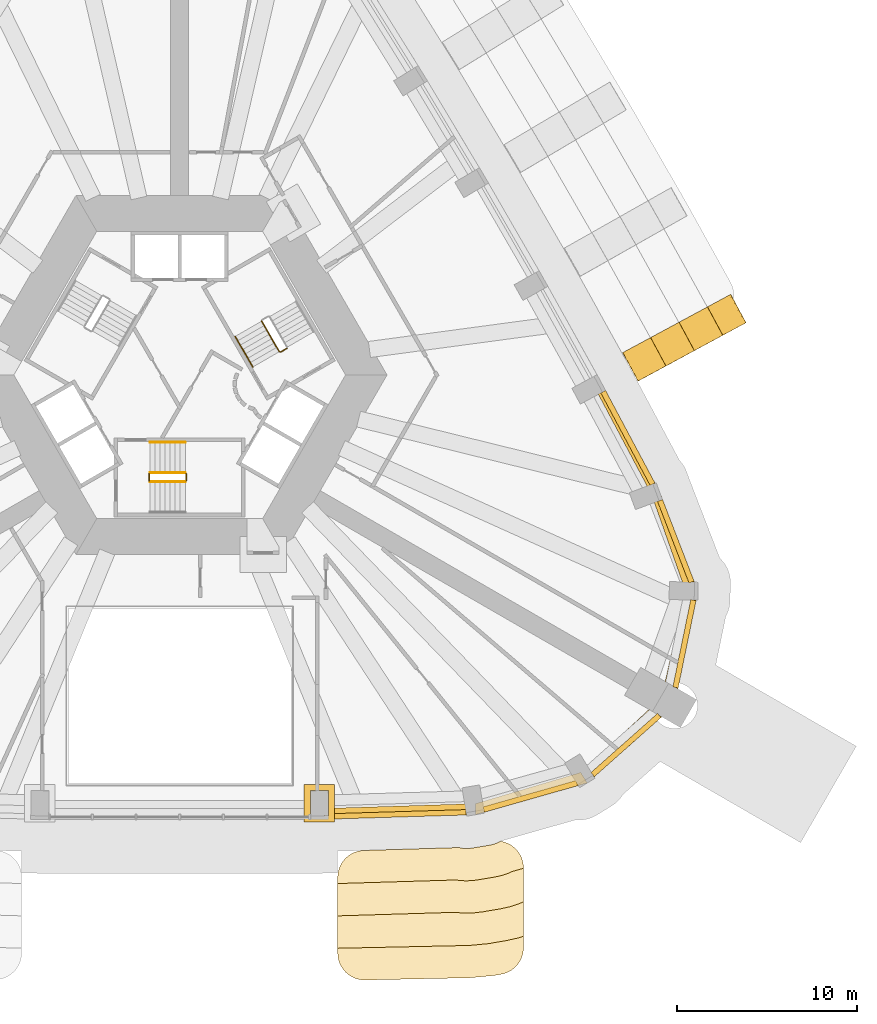
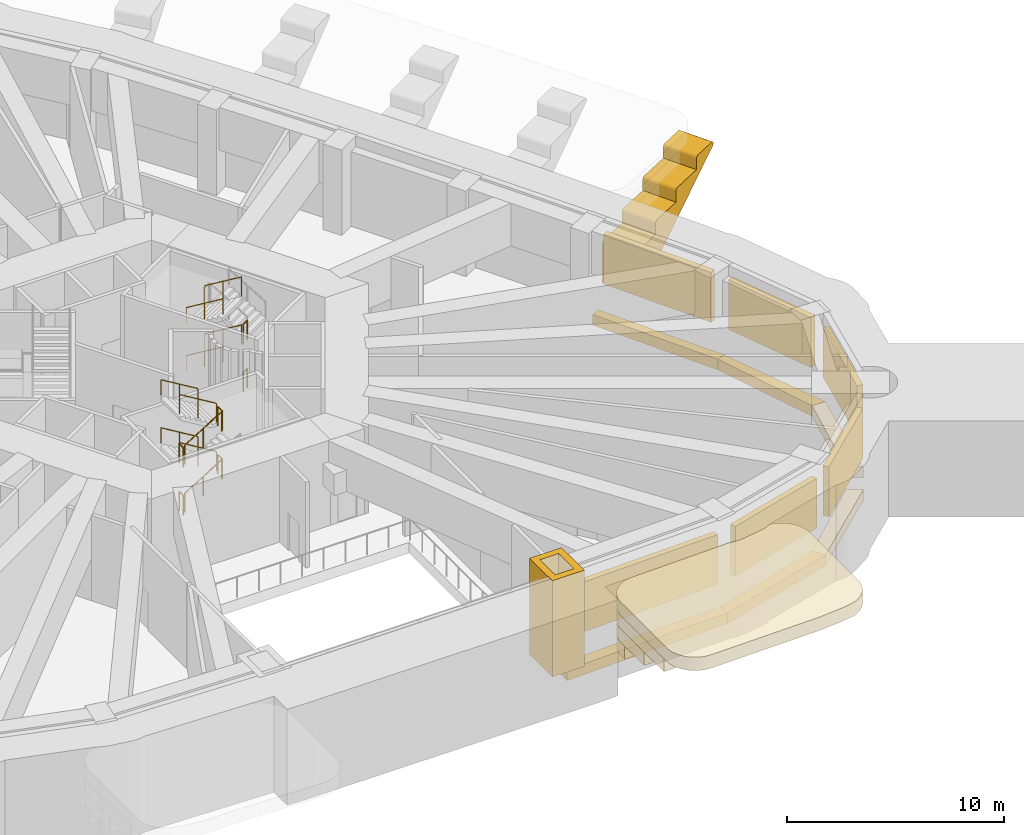
# One storey, part 12 of 16: 16 railings, 12 coverings, 6 shading devices.
"""IFC4 building model written with IfcOpenShell, lengths in metres."""

from ifc_helpers import new_model, si_unit, direction, frame, origin, origin_2d, place, context, subcontext, project, spatial, polyline, rectangle, circle, outline, extrude, material, layer, layer_set, type_object, element, save


model = new_model("IFC4")

# Units and contexts
model_context = context("Model", 3, precision=1e-05, world=origin(), true_north=direction((0.0, 1.0)))
body_context = subcontext(model_context, "Body", "Model", "MODEL_VIEW")
ifc_project = project(units=[si_unit("LENGTHUNIT", "METRE"), si_unit("AREAUNIT", "SQUARE_METRE"), si_unit("VOLUMEUNIT", "CUBIC_METRE"), si_unit("PLANEANGLEUNIT", "RADIAN"), si_unit("MASSUNIT", "GRAM", prefix="KILO")], contexts=[model_context])

# Site, building, storey
site_placement = place(None, origin())
site = spatial("IfcSite", under=ifc_project, at=site_placement, CompositionType="ELEMENT")
building_placement = place(site_placement, origin())
building = spatial("IfcBuilding", under=site, at=building_placement, Name="Entoto Arch Interchange Tower", CompositionType="ELEMENT")
storey_placement = place(building_placement, frame((0.0, 0.0, 281.0)))
storey = spatial("IfcBuildingStorey", under=building, at=storey_placement, Name="L65", CompositionType="ELEMENT", Elevation=281.0)

# Shading devices
ifc_material_1 = material(Name="Aluminium, anodised", Category="aluminium")
ifc_layer = layer(ifc_material_1, 0.300048828125)
ifc_layer_set = layer_set([ifc_layer], Name="Aluminium, anodised")
shading_device_type = type_object("IfcShadingDeviceType", Name="PLANT LOUVRE ALUMINIUM", PredefinedType="JALOUSIE", material=ifc_layer_set)
shading_device_1_placement = place(storey_placement, frame((12.123046875, -21.972900390625, 1.2001953125), z_axis=(0.0, 0.0, 1.0), x_axis=(0.999541022965, 0.030294280171, 0.0)))
element("IfcShadingDevice", 1, at=shading_device_1_placement, inside=storey, type_object=shading_device_type, Name="Plant louvre S-03 L65", PredefinedType="JALOUSIE", context=body_context, shape_type="SweptSolid", body=[
    extrude(rectangle(XDim=7.658935546875, YDim=0.300048828125, at=origin_2d()), origin(), (0.0, 0.0, 1.0), 2.800048828125),
])
shading_device_2_placement = place(storey_placement, frame((19.529052734375, -20.969970703125, 1.2001953125), z_axis=(0.0, 0.0, 1.0), x_axis=(0.961989550929, 0.273086257259, 0.0)))
element("IfcShadingDevice", 2, at=shading_device_2_placement, inside=storey, type_object=shading_device_type, Name="Plant louvre SE-01 L65", PredefinedType="JALOUSIE", context=body_context, shape_type="SweptSolid", body=[
    extrude(rectangle(XDim=5.386962890625, YDim=0.300048828125, at=origin_2d()), origin(), (0.0, 0.0, 1.0), 2.800048828125),
])
shading_device_3_placement = place(storey_placement, frame((24.85693359375, -18.110107421875, 1.2001953125), z_axis=(0.0, 0.0, 1.0), x_axis=(0.747937126477, 0.663769579626, 0.0)))
element("IfcShadingDevice", 3, at=shading_device_3_placement, inside=storey, type_object=shading_device_type, Name="Plant louvre SE-02 L65", PredefinedType="JALOUSIE", context=body_context, shape_type="SweptSolid", body=[
    extrude(rectangle(XDim=4.966064453125, YDim=0.300048828125, at=origin_2d()), origin(), (0.0, 0.0, 1.0), 2.800048828125),
])
shading_device_4_placement = place(storey_placement, frame((28.112060546875, -12.471923828125, 1.2001953125), z_axis=(0.0, 0.0, 1.0), x_axis=(0.20090694995, 0.979610329397, 0.0)))
element("IfcShadingDevice", 4, at=shading_device_4_placement, inside=storey, type_object=shading_device_type, Name="Plant louvre SE-03 L65", PredefinedType="JALOUSIE", context=body_context, shape_type="SweptSolid", body=[
    extrude(rectangle(XDim=4.967041015625, YDim=0.300048828125, at=origin_2d()), origin(), (0.0, 0.0, 1.0), 2.800048828125),
])
shading_device_5_placement = place(storey_placement, frame((27.6298828125, -6.763916015625, 1.2001953125), z_axis=(0.0, 0.0, 1.0), x_axis=(-0.360257323855, 0.932852968376, 0.0)))
element("IfcShadingDevice", 5, at=shading_device_5_placement, inside=storey, type_object=shading_device_type, Name="Plant louvre SE-04 L65", PredefinedType="JALOUSIE", context=body_context, shape_type="SweptSolid", body=[
    extrude(rectangle(XDim=4.8740234375, YDim=0.300048828125, at=origin_2d()), origin(), (0.0, 0.0, 1.0), 2.800048828125),
])
shading_device_6_placement = place(storey_placement, frame((24.9609375, -1.008056640625, 1.2001953125), z_axis=(0.0, 0.0, 1.0), x_axis=(-0.470780924807, 0.882250146408, 0.0)))
element("IfcShadingDevice", 6, at=shading_device_6_placement, inside=storey, type_object=shading_device_type, Name="Plant louvre NE-01 L65", PredefinedType="JALOUSIE", context=body_context, shape_type="SweptSolid", body=[
    extrude(rectangle(XDim=5.8330078125, YDim=0.300048828125, at=origin_2d()), origin(), (0.0, 0.0, 1.0), 2.800048828125),
])

# Coverings
ifc_material_2 = material(Name="Board-marked precast concrete C50/60", Category="concrete")
covering_type_1 = type_object("IfcCoveringType", Name="PRECAST FRAME COURSE", PredefinedType="CLADDING", material=ifc_material_2)
covering_1_placement = place(storey_placement, frame((0.0, 0.0, 4.050048828125)))
element("IfcCovering", 7, at=covering_1_placement, inside=storey, type_object=covering_type_1, Name="Cantilever cornice L65 1", PredefinedType="CLADDING", context=body_context, shape_type="SweptSolid", body=[
    extrude(outline(polyline([(18.18310546875, -23.551025390625), (18.320068359375, -23.612060546875), (18.450927734375, -23.68603515625), (18.573974609375, -23.77392578125), (18.68701171875, -23.873046875), (18.7900390625, -23.98193359375), (18.882080078125, -24.10205078125), (18.9609375, -24.22998046875), (19.02587890625, -24.365966796875), (19.077880859375, -24.507080078125), (19.115966796875, -24.653076171875), (19.137939453125, -24.802001953125), (19.14599609375, -24.951904296875), (19.14599609375, -29.39990234375), (19.137939453125, -29.550048828125), (19.115966796875, -29.698974609375), (19.077880859375, -29.844970703125), (19.027099609375, -29.986083984375), (18.9609375, -30.12109375), (18.883056640625, -30.2490234375), (18.7919921875, -30.367919921875), (18.68896484375, -30.47802734375), (18.575927734375, -30.576904296875), (18.4541015625, -30.6640625), (18.322998046875, -30.739013671875), (18.18603515625, -30.800048828125), (18.04296875, -30.846923828125), (17.89599609375, -30.87890625), (17.5439453125, -30.93896484375), (17.43603515625, -30.952880859375), (16.39208984375, -31.052001953125), (16.23388671875, -31.06689453125), (16.1240234375, -31.073974609375), (15.467041015625, -31.087890625), (10.33203125, -31.197021484375), (10.18310546875, -31.193115234375), (10.034912109375, -31.174072265625), (9.889892578125, -31.14111328125), (9.748046875, -31.093017578125), (9.612060546875, -31.031005859375), (9.48291015625, -30.9560546875), (9.362060546875, -30.868896484375), (9.2509765625, -30.77001953125), (9.14892578125, -30.659912109375), (9.06005859375, -30.541015625), (8.98193359375, -30.4140625), (8.9169921875, -30.279052734375), (8.865966796875, -30.138916015625), (8.830078125, -29.993896484375), (8.806884765625, -29.846923828125), (8.800048828125, -29.697998046875), (8.800048828125, -25.47998046875), (8.806884765625, -25.3359375), (8.827880859375, -25.193115234375), (8.862060546875, -25.052001953125), (8.909912109375, -24.916015625), (8.969970703125, -24.784912109375), (9.04296875, -24.660888671875), (9.1279296875, -24.5439453125), (9.222900390625, -24.43505859375), (9.3291015625, -24.3369140625), (9.443115234375, -24.2490234375), (9.56591796875, -24.172119140625), (9.695068359375, -24.10693359375), (9.8291015625, -24.055908203125), (9.968017578125, -24.01708984375), (10.111083984375, -23.991943359375), (10.2548828125, -23.97998046875), (15.552978515625, -23.820068359375), (15.5859375, -23.8291015625), (15.760009765625, -23.860107421875), (15.93603515625, -23.8740234375), (16.112060546875, -23.8701171875), (16.2880859375, -23.84912109375), (17.27392578125, -23.681884765625), (17.446044921875, -23.64404296875), (17.614013671875, -23.589111328125), (17.77587890625, -23.51904296875), (17.863037109375, -23.468994140625), (17.89892578125, -23.458984375), (17.87109375, -23.468994140625), (17.89208984375, -23.471923828125), (18.0390625, -23.5048828125), (18.18310546875, -23.551025390625)])), origin(), (0.0, 0.0, 1.0), 0.75),
])
covering_2_placement = place(storey_placement, frame((0.0, 0.0, 3.300048828125)))
element("IfcCovering", 8, at=covering_2_placement, inside=storey, type_object=covering_type_1, Name="Cantilever cornice L65 2", PredefinedType="CLADDING", context=body_context, shape_type="SweptSolid", body=[
    extrude(outline(polyline([(18.18310546875, -23.551025390625), (18.320068359375, -23.612060546875), (18.450927734375, -23.68603515625), (18.573974609375, -23.77392578125), (18.68701171875, -23.873046875), (18.7900390625, -23.98193359375), (18.882080078125, -24.10205078125), (18.9609375, -24.22998046875), (19.02587890625, -24.365966796875), (19.077880859375, -24.507080078125), (19.115966796875, -24.653076171875), (19.137939453125, -24.802001953125), (19.14599609375, -24.951904296875), (19.14599609375, -28.762939453125), (18.865966796875, -28.85400390625), (18.176025390625, -29.006103515625), (17.18994140625, -29.173095703125), (16.14111328125, -29.27294921875), (8.800048828125, -29.429931640625), (8.800048828125, -25.47998046875), (8.806884765625, -25.3359375), (8.827880859375, -25.193115234375), (8.862060546875, -25.052001953125), (8.909912109375, -24.916015625), (8.969970703125, -24.784912109375), (9.04296875, -24.660888671875), (9.1279296875, -24.5439453125), (9.222900390625, -24.43505859375), (9.3291015625, -24.3369140625), (9.443115234375, -24.2490234375), (9.56591796875, -24.172119140625), (9.695068359375, -24.10693359375), (9.8291015625, -24.055908203125), (9.968017578125, -24.01708984375), (10.111083984375, -23.991943359375), (10.2548828125, -23.97998046875), (10.2548828125, -23.97998046875), (15.552978515625, -23.820068359375), (15.5859375, -23.8291015625), (15.760009765625, -23.860107421875), (15.93603515625, -23.8740234375), (16.112060546875, -23.8701171875), (16.2880859375, -23.84912109375), (17.27392578125, -23.681884765625), (17.446044921875, -23.64404296875), (17.614013671875, -23.589111328125), (17.77587890625, -23.51904296875), (17.863037109375, -23.468994140625), (17.89892578125, -23.458984375), (17.87109375, -23.468994140625), (17.89208984375, -23.471923828125), (18.0390625, -23.5048828125), (18.18310546875, -23.551025390625)])), origin(), (0.0, 0.0, 1.0), 0.75),
])
covering_3_placement = place(storey_placement, frame((0.0, 0.0, 2.550048828125)))
element("IfcCovering", 9, at=covering_3_placement, inside=storey, type_object=covering_type_1, Name="Cantilever cornice L65 3", PredefinedType="CLADDING", context=body_context, shape_type="SweptSolid", body=[
    extrude(outline(polyline([(18.18310546875, -23.551025390625), (18.320068359375, -23.612060546875), (18.450927734375, -23.68603515625), (18.573974609375, -23.77392578125), (18.68701171875, -23.873046875), (18.7900390625, -23.98193359375), (18.882080078125, -24.10205078125), (18.9609375, -24.22998046875), (19.02587890625, -24.365966796875), (19.077880859375, -24.507080078125), (19.115966796875, -24.653076171875), (19.137939453125, -24.802001953125), (19.14599609375, -24.951904296875), (19.14599609375, -26.847900390625), (19.1220703125, -26.85400390625), (18.89599609375, -26.952880859375), (18.39208984375, -27.117919921875), (17.875, -27.23193359375), (16.888916015625, -27.39892578125), (16.363037109375, -27.4609375), (15.8330078125, -27.471923828125), (15.304931640625, -27.430908203125), (15.2939453125, -27.428955078125), (8.800048828125, -27.6259765625), (8.800048828125, -25.47998046875), (8.806884765625, -25.3359375), (8.827880859375, -25.193115234375), (8.862060546875, -25.052001953125), (8.909912109375, -24.916015625), (8.969970703125, -24.784912109375), (9.04296875, -24.660888671875), (9.1279296875, -24.5439453125), (9.222900390625, -24.43505859375), (9.3291015625, -24.3369140625), (9.443115234375, -24.2490234375), (9.56591796875, -24.172119140625), (9.695068359375, -24.10693359375), (9.8291015625, -24.055908203125), (9.968017578125, -24.01708984375), (10.111083984375, -23.991943359375), (10.2548828125, -23.97998046875), (10.2548828125, -23.97998046875), (15.552978515625, -23.820068359375), (15.5859375, -23.8291015625), (15.760009765625, -23.860107421875), (15.93603515625, -23.8740234375), (16.112060546875, -23.8701171875), (16.2880859375, -23.84912109375), (17.27392578125, -23.681884765625), (17.446044921875, -23.64404296875), (17.614013671875, -23.589111328125), (17.77587890625, -23.51904296875), (17.863037109375, -23.468994140625), (17.89892578125, -23.458984375), (17.87109375, -23.468994140625), (17.89208984375, -23.471923828125), (18.0390625, -23.5048828125), (18.18310546875, -23.551025390625)])), origin(), (0.0, 0.0, 1.0), 0.75),
])
covering_4_placement = place(storey_placement, frame((0.0, 0.0, 1.800048828125)))
element("IfcCovering", 10, at=covering_4_placement, inside=storey, type_object=covering_type_1, Name="Cantilever cornice L65 4", PredefinedType="CLADDING", context=body_context, shape_type="SweptSolid", body=[
    extrude(outline(polyline([(18.18310546875, -23.551025390625), (18.320068359375, -23.612060546875), (18.450927734375, -23.68603515625), (18.573974609375, -23.77392578125), (18.68701171875, -23.873046875), (18.7900390625, -23.98193359375), (18.882080078125, -24.10205078125), (18.9609375, -24.22998046875), (19.02587890625, -24.365966796875), (19.077880859375, -24.507080078125), (19.115966796875, -24.653076171875), (19.137939453125, -24.802001953125), (19.14599609375, -24.951904296875), (19.14599609375, -24.97607421875), (18.528076171875, -25.152099609375), (18.2548828125, -25.27099609375), (17.9189453125, -25.381103515625), (17.573974609375, -25.45703125), (16.587890625, -25.6240234375), (16.238037109375, -25.666015625), (15.884033203125, -25.673095703125), (15.531982421875, -25.64599609375), (15.4150390625, -25.625), (8.800048828125, -25.824951171875), (8.800048828125, -25.47998046875), (8.806884765625, -25.3359375), (8.827880859375, -25.193115234375), (8.862060546875, -25.052001953125), (8.909912109375, -24.916015625), (8.969970703125, -24.784912109375), (9.04296875, -24.660888671875), (9.1279296875, -24.5439453125), (9.222900390625, -24.43505859375), (9.3291015625, -24.3369140625), (9.443115234375, -24.2490234375), (9.56591796875, -24.172119140625), (9.695068359375, -24.10693359375), (9.8291015625, -24.055908203125), (9.968017578125, -24.01708984375), (10.111083984375, -23.991943359375), (10.2548828125, -23.97998046875), (10.2548828125, -23.97998046875), (15.552978515625, -23.820068359375), (15.5859375, -23.8291015625), (15.760009765625, -23.860107421875), (15.93603515625, -23.8740234375), (16.112060546875, -23.8701171875), (16.2880859375, -23.84912109375), (17.27392578125, -23.681884765625), (17.446044921875, -23.64404296875), (17.614013671875, -23.589111328125), (17.77587890625, -23.51904296875), (17.863037109375, -23.468994140625), (17.89892578125, -23.458984375), (17.87109375, -23.468994140625), (17.89208984375, -23.471923828125), (18.0390625, -23.5048828125), (18.18310546875, -23.551025390625)])), origin(), (0.0, 0.0, 1.0), 0.75),
])
covering_5_placement = place(storey_placement, frame((26.076904296875, 2.448974609375, -0.572021484375), z_axis=(0.473974145096, -0.880533473583, 0.003051504713), x_axis=(-0.78159292154, -0.422307363766, -0.459095845666)))
element("IfcCovering", 11, at=covering_5_placement, inside=storey, type_object=covering_type_1, Name="Fold rib NE02 L65", PredefinedType="CLADDING", context=body_context, shape_type="SweptSolid", body=[
    extrude(outline(polyline([(0.0, 0.0), (0.04573153724789679, 3.469446951953614e-18), (0.08955543407304244, -0.014676383002175115), (0.4385093845153609, -0.19500858995472975), (0.46334671760759105, -0.2114169752872267), (0.49260191469120707, -0.2432998075065774), (0.511956957086023, -0.28270653125284184), (0.5197842931624344, -0.3260517457260566), (0.5136969246307107, -0.3701744687286229), (0.502813405102382, -0.39724933028089593), (-0.46150835700905746, -2.2625948843223656), (-0.4868491516529848, -2.299241300060445), (-0.5091670978066655, -2.3179364672746887), (-0.5354965394230424, -2.331536159043941), (-0.5776257544795818, -2.3432945268872993), (-0.6218881644008312, -2.3418564316194987), (-0.663675632031897, -2.327128862566277), (-2.1024162639168766, -1.583621434169401), (-2.38558054471342, -2.129547041328279), (-2.4041629532465687, -2.1526472678459787), (-2.438393115537062, -2.178654156947763), (-2.479740138102604, -2.194661392149139), (-2.524429388714257, -2.197398748980553), (-2.5524836251446827, -2.1919695410531785), (-2.580035340703679, -2.181029871773445), (-4.046024489909736, -1.4234385868187074), (-4.3291887707062795, -1.9693641939775852), (-4.347580360655067, -1.9925634287796112), (-4.381810522945561, -2.0185703178813963), (-4.423157545511103, -2.0345775530827717), (-4.467846796122756, -2.037314909914185), (-4.496313442088109, -2.0316755315507935), (-4.523452748112178, -2.0209460327070774), (-5.989441897318235, -1.2633547477523397), (-6.272606178114779, -1.809280354911218), (-6.290997768063567, -1.8324795897132446), (-6.32522793035406, -1.858486478815029), (-6.366574952919603, -1.8744937140164044), (-6.410500929193813, -1.8776271039851253), (-6.439833951880341, -1.8715391498754217), (-6.467282565055604, -1.860652023204692), (-7.513468858245747, -1.320004969809013), (-7.548698035620223, -1.2949279414225439), (-7.56811282659211, -1.272528769708551), (-7.581877375579808, -1.2475517888698953), (-7.593297984377575, -1.2056493900402057), (-7.594408356180449, -1.1756709836943076), (-7.588702079396594, -1.14701670996853), (-7.5785908157686706, -1.1198152479030523), (-7.562901458367133, -1.095217743253086), (-7.543431655530245, -1.0736781347860642), (-7.519783133171691, -1.0567659099258817), (-7.4938899913224954, -1.0454152531454879), (-7.465623986632181, -1.0385848955505694), (0.0, 0.0)])), origin(), (0.0, 0.0, -1.0), 1.800048828125),
])
covering_6_placement = place(storey_placement, frame((0.0, 0.0, -0.60009765625)))
element("IfcCovering", 12, at=covering_6_placement, inside=storey, type_object=covering_type_1, Name="Gate pier L65", PredefinedType="CLADDING", context=body_context, shape_type="SweptSolid", body=[
    extrude(outline(polyline([(6.93408203125, -20.303955078125), (8.634033203125, -20.303955078125), (8.634033203125, -22.404052734375), (6.93408203125, -22.404052734375), (6.93408203125, -20.303955078125)]), holes=[polyline([(7.283935546875, -20.654052734375), (7.283935546875, -22.053955078125), (8.283935546875, -22.053955078125), (8.283935546875, -20.654052734375), (7.283935546875, -20.654052734375)])]), origin(), (0.0, 0.0, 1.0), 5.400146484375),
])
covering_type_2 = type_object("IfcCoveringType", Name="PRECAST LEDGE COURSE", PredefinedType="CLADDING", material=ifc_material_2)
covering_7_placement = place(storey_placement, frame((0.0, 0.0, -1.199951171875)))
element("IfcCovering", 13, at=covering_7_placement, inside=storey, type_object=covering_type_2, Name="Precast course S-03 L65", PredefinedType="CLADDING", context=body_context, shape_type="SweptSolid", body=[
    extrude(outline(polyline([(16.47998046875, -21.3740234375), (16.47998046875, -21.990966796875), (7.800048828125, -22.25390625), (7.800048828125, -21.64990234375), (16.47998046875, -21.3740234375)])), origin(), (0.0, 0.0, 1.0), 0.599853515625),
])
covering_8_placement = place(storey_placement, frame((0.0, 0.0, -1.199951171875)))
element("IfcCovering", 14, at=covering_8_placement, inside=storey, type_object=covering_type_2, Name="Precast course SE-01 L65", PredefinedType="CLADDING", context=body_context, shape_type="SweptSolid", body=[
    extrude(outline(polyline([(22.340087890625, -19.635009765625), (22.699951171875, -20.22509765625), (16.47998046875, -21.990966796875), (16.47998046875, -21.3740234375), (22.340087890625, -19.635009765625)])), origin(), (0.0, 0.0, 1.0), 0.599853515625),
])
covering_9_placement = place(storey_placement, frame((0.0, 0.0, -1.199951171875)))
element("IfcCovering", 15, at=covering_9_placement, inside=storey, type_object=covering_type_2, Name="Precast course SE-02 L65", PredefinedType="CLADDING", context=body_context, shape_type="SweptSolid", body=[
    extrude(outline(polyline([(26.14208984375, -16.133056640625), (26.85107421875, -16.5419921875), (22.699951171875, -20.22509765625), (22.340087890625, -19.635009765625), (26.14208984375, -16.133056640625)])), origin(), (0.0, 0.0, 1.0), 0.599853515625),
])
covering_10_placement = place(storey_placement, frame((0.0, 0.0, -1.199951171875)))
element("IfcCovering", 16, at=covering_10_placement, inside=storey, type_object=covering_type_2, Name="Precast course SE-03 L65", PredefinedType="CLADDING", context=body_context, shape_type="SweptSolid", body=[
    extrude(outline(polyline([(28.174072265625, -9.529052734375), (28.864990234375, -9.5458984375), (27.75, -14.98291015625), (27.0419921875, -14.573974609375), (28.174072265625, -9.529052734375)])), origin(), (0.0, 0.0, 1.0), 0.599853515625),
])
covering_11_placement = place(storey_placement, frame((0.0, 0.0, -1.199951171875)))
element("IfcCovering", 17, at=covering_11_placement, inside=storey, type_object=covering_type_2, Name="Precast course SE-04 L65", PredefinedType="CLADDING", context=body_context, shape_type="SweptSolid", body=[
    extrude(outline(polyline([(26.27294921875, -4.135986328125), (26.712890625, -3.972900390625), (28.864990234375, -9.5458984375), (28.174072265625, -9.529052734375), (26.27294921875, -4.135986328125)])), origin(), (0.0, 0.0, 1.0), 0.599853515625),
])
covering_12_placement = place(storey_placement, frame((0.0, 0.0, -1.199951171875)))
element("IfcCovering", 18, at=covering_12_placement, inside=storey, type_object=covering_type_2, Name="Precast course NE-01 L65", PredefinedType="CLADDING", context=body_context, shape_type="SweptSolid", body=[
    extrude(outline(polyline([(23.083984375, 1.860107421875), (23.485107421875, 2.075927734375), (26.712890625, -3.972900390625), (26.27294921875, -4.135986328125), (23.083984375, 1.860107421875)])), origin(), (0.0, 0.0, 1.0), 0.599853515625),
])

# Railings
ifc_material_3 = material(Name="Stainless steel 1.4301", Category="steel")
railing_type_1 = type_object("IfcRailingType", Name="STAIR GUARD 1100 STEEL", PredefinedType="GUARDRAIL", material=ifc_material_3)
railing_1_placement = place(storey_placement, frame((-1.64990234375, -3.449951171875, 0.168701171875)))
element("IfcRailing", 19, at=railing_1_placement, inside=storey, type_object=railing_type_1, Name="L65 ST-S stair guard 1", PredefinedType="GUARDRAIL", context=body_context, shape_type="SweptSolid", body=[
    extrude(circle(Radius=0.02392578125, at=origin_2d()), frame((0.0, 0.0, 1.076171875), z_axis=(0.856446297458, 0.0, 0.516236127728), x_axis=(0.0, 1.0, 0.0)), (0.0, 0.0, 1.0), 2.28857421875),
    extrude(circle(Radius=0.02099609375, at=origin_2d()), origin(), (0.0, 0.0, 1.0), 1.052001953125),
    extrude(circle(Radius=0.02099609375, at=origin_2d()), frame((0.97998046875, 0.0, 0.5908203125)), (0.0, 0.0, 1.0), 1.052001953125),
    extrude(circle(Radius=0.02099609375, at=origin_2d()), frame((1.9599609375, 0.0, 1.181396484375)), (0.0, 0.0, 1.0), 1.052001953125),
])
railing_2_placement = place(storey_placement, frame((0.360107421875, -3.39990234375, 1.35009765625)))
element("IfcRailing", 20, at=railing_2_placement, inside=storey, type_object=railing_type_1, Name="L65 ST-S stair guard 2", PredefinedType="GUARDRAIL", context=body_context, shape_type="SweptSolid", body=[
    extrude(circle(Radius=0.02392578125, at=origin_2d()), frame((0.0, 0.0, 1.076171875), z_axis=(0.0, 1.0, 0.0), x_axis=(-1.0, 0.0, 0.0)), (0.0, 0.0, 1.0), 0.39990234375),
    extrude(circle(Radius=0.02099609375, at=origin_2d()), origin(), (0.0, 0.0, 1.0), 1.052001953125),
    extrude(circle(Radius=0.02099609375, at=origin_2d()), frame((0.0, 0.39990234375, 0.0)), (0.0, 0.0, 1.0), 1.052001953125),
])
railing_3_placement = place(storey_placement, frame((0.31005859375, -2.949951171875, 1.518798828125)))
element("IfcRailing", 21, at=railing_3_placement, inside=storey, type_object=railing_type_1, Name="L65 ST-S stair guard 3", PredefinedType="GUARDRAIL", context=body_context, shape_type="SweptSolid", body=[
    extrude(circle(Radius=0.02392578125, at=origin_2d()), frame((0.0, 0.0, 1.076171875), z_axis=(-0.856493463811, 0.0, 0.516157869696), x_axis=(0.0, -1.0, 0.0)), (0.0, 0.0, 1.0), 2.288330078125),
    extrude(circle(Radius=0.02099609375, at=origin_2d()), origin(), (0.0, 0.0, 1.0), 1.052001953125),
    extrude(circle(Radius=0.02099609375, at=origin_2d()), frame((-0.97998046875, 0.0, 0.590576171875)), (0.0, 0.0, 1.0), 1.052001953125),
    extrude(circle(Radius=0.02099609375, at=origin_2d()), frame((-1.9599609375, 0.0, 1.18115234375)), (0.0, 0.0, 1.0), 1.052001953125),
])
railing_4_placement = place(storey_placement, frame((-1.699951171875, -3.39990234375, 2.699951171875)))
element("IfcRailing", 22, at=railing_4_placement, inside=storey, type_object=railing_type_1, Name="L65 ST-S stair guard 4", PredefinedType="GUARDRAIL", context=body_context, shape_type="SweptSolid", body=[
    extrude(circle(Radius=0.02392578125, at=origin_2d()), frame((0.0, 0.0, 1.076171875), z_axis=(0.0, 1.0, 0.0), x_axis=(-1.0, 0.0, 0.0)), (0.0, 0.0, 1.0), 0.39990234375),
    extrude(circle(Radius=0.02099609375, at=origin_2d()), origin(), (0.0, 0.0, 1.0), 1.052001953125),
    extrude(circle(Radius=0.02099609375, at=origin_2d()), frame((0.0, 0.39990234375, 0.0)), (0.0, 0.0, 1.0), 1.052001953125),
])
railing_5_placement = place(storey_placement, frame((-1.64990234375, -3.449951171875, 2.86865234375)))
element("IfcRailing", 23, at=railing_5_placement, inside=storey, type_object=railing_type_1, Name="L65 ST-S stair guard 5", PredefinedType="GUARDRAIL", context=body_context, shape_type="SweptSolid", body=[
    extrude(circle(Radius=0.02392578125, at=origin_2d()), frame((0.0, 0.0, 1.076171875), z_axis=(0.856446297458, 0.0, 0.516236127728), x_axis=(0.0, 1.0, 0.0)), (0.0, 0.0, 1.0), 2.28857421875),
    extrude(circle(Radius=0.02099609375, at=origin_2d()), origin(), (0.0, 0.0, 1.0), 1.052001953125),
    extrude(circle(Radius=0.02099609375, at=origin_2d()), frame((0.97998046875, 0.0, 0.5908203125)), (0.0, 0.0, 1.0), 1.052001953125),
    extrude(circle(Radius=0.02099609375, at=origin_2d()), frame((1.9599609375, 0.0, 1.181396484375)), (0.0, 0.0, 1.0), 1.052001953125),
])
railing_6_placement = place(storey_placement, frame((0.360107421875, -3.39990234375, 4.050048828125)))
element("IfcRailing", 24, at=railing_6_placement, inside=storey, type_object=railing_type_1, Name="L65 ST-S stair guard 6", PredefinedType="GUARDRAIL", context=body_context, shape_type="SweptSolid", body=[
    extrude(circle(Radius=0.02392578125, at=origin_2d()), frame((0.0, 0.0, 1.076171875), z_axis=(0.0, 1.0, 0.0), x_axis=(-1.0, 0.0, 0.0)), (0.0, 0.0, 1.0), 0.39990234375),
    extrude(circle(Radius=0.02099609375, at=origin_2d()), origin(), (0.0, 0.0, 1.0), 1.052001953125),
    extrude(circle(Radius=0.02099609375, at=origin_2d()), frame((0.0, 0.39990234375, 0.0)), (0.0, 0.0, 1.0), 1.052001953125),
])
railing_7_placement = place(storey_placement, frame((0.31005859375, -2.949951171875, 4.21875)))
element("IfcRailing", 25, at=railing_7_placement, inside=storey, type_object=railing_type_1, Name="L65 ST-S stair guard 7", PredefinedType="GUARDRAIL", context=body_context, shape_type="SweptSolid", body=[
    extrude(circle(Radius=0.02392578125, at=origin_2d()), frame((0.0, 0.0, 1.076171875), z_axis=(-0.856493463811, 0.0, 0.516157869696), x_axis=(0.0, -1.0, 0.0)), (0.0, 0.0, 1.0), 2.288330078125),
    extrude(circle(Radius=0.02099609375, at=origin_2d()), origin(), (0.0, 0.0, 1.0), 1.052001953125),
    extrude(circle(Radius=0.02099609375, at=origin_2d()), frame((-0.97998046875, 0.0, 0.590576171875)), (0.0, 0.0, 1.0), 1.052001953125),
    extrude(circle(Radius=0.02099609375, at=origin_2d()), frame((-1.9599609375, 0.0, 1.18115234375)), (0.0, 0.0, 1.0), 1.052001953125),
])
railing_8_placement = place(storey_placement, frame((-1.699951171875, -3.39990234375, 0.0)))
element("IfcRailing", 26, at=railing_8_placement, inside=storey, type_object=railing_type_1, Name="L65 ST-S stair guard 8", PredefinedType="GUARDRAIL", context=body_context, shape_type="SweptSolid", body=[
    extrude(circle(Radius=0.02392578125, at=origin_2d()), frame((0.0, 0.0, 1.076171875), z_axis=(0.0, 1.0, 0.0), x_axis=(-1.0, 0.0, 0.0)), (0.0, 0.0, 1.0), 0.39990234375),
    extrude(circle(Radius=0.02099609375, at=origin_2d()), origin(), (0.0, 0.0, 1.0), 1.052001953125),
    extrude(circle(Radius=0.02099609375, at=origin_2d()), frame((0.0, 0.39990234375, 0.0)), (0.0, 0.0, 1.0), 1.052001953125),
])
railing_9_placement = place(storey_placement, frame((4.56494140625, 5.493408203125, 1.518798828125)))
element("IfcRailing", 27, at=railing_9_placement, inside=storey, type_object=railing_type_1, Name="L65 ST-NE stair guard 3", PredefinedType="GUARDRAIL", context=body_context, shape_type="SweptSolid", body=[
    extrude(circle(Radius=0.02392578125, at=origin_2d()), frame((0.0, 0.0, 1.076171875), z_axis=(0.428262048313, -0.74172340804, 0.516176330279), x_axis=(0.866011328839, 0.500024377727, 0.0)), (0.0, 0.0, 1.0), 2.288330078125),
    extrude(circle(Radius=0.02099609375, at=origin_2d()), origin(), (0.0, 0.0, 1.0), 1.052001953125),
    extrude(circle(Radius=0.02099609375, at=origin_2d()), frame((0.489990234375, -0.8486328125, 0.590576171875)), (0.0, 0.0, 1.0), 1.052001953125),
    extrude(circle(Radius=0.02099609375, at=origin_2d()), frame((0.97998046875, -1.697265625, 1.18115234375)), (0.0, 0.0, 1.0), 1.052001953125),
])
railing_10_placement = place(storey_placement, frame((5.95947265625, 3.977783203125, 2.699951171875)))
element("IfcRailing", 28, at=railing_10_placement, inside=storey, type_object=railing_type_1, Name="L65 ST-NE stair guard 4", PredefinedType="GUARDRAIL", context=body_context, shape_type="SweptSolid", body=[
    extrude(circle(Radius=0.02392578125, at=origin_2d()), frame((0.0, 0.0, 1.076171875), z_axis=(-0.866094119867, -0.499880961361, 0.0), x_axis=(0.499880961361, -0.866094119867, 0.0)), (0.0, 0.0, 1.0), 0.39990234375),
    extrude(circle(Radius=0.02099609375, at=origin_2d()), origin(), (0.0, 0.0, 1.0), 1.052001953125),
    extrude(circle(Radius=0.02099609375, at=origin_2d()), frame((-0.346435546875, -0.199951171875, 0.0)), (0.0, 0.0, 1.0), 1.052001953125),
])
railing_11_placement = place(storey_placement, frame((4.56494140625, 5.493408203125, 4.21875)))
element("IfcRailing", 29, at=railing_11_placement, inside=storey, type_object=railing_type_1, Name="L65 ST-NE stair guard 7", PredefinedType="GUARDRAIL", context=body_context, shape_type="SweptSolid", body=[
    extrude(circle(Radius=0.02392578125, at=origin_2d()), frame((0.0, 0.0, 1.076171875), z_axis=(0.428262048313, -0.74172340804, 0.516176330279), x_axis=(0.866011328839, 0.500024377727, 0.0)), (0.0, 0.0, 1.0), 2.288330078125),
    extrude(circle(Radius=0.02099609375, at=origin_2d()), origin(), (0.0, 0.0, 1.0), 1.052001953125),
    extrude(circle(Radius=0.02099609375, at=origin_2d()), frame((0.489990234375, -0.8486328125, 0.590576171875)), (0.0, 0.0, 1.0), 1.052001953125),
    extrude(circle(Radius=0.02099609375, at=origin_2d()), frame((0.97998046875, -1.697265625, 1.18115234375)), (0.0, 0.0, 1.0), 1.052001953125),
])
railing_12_placement = place(storey_placement, frame((5.95947265625, 3.977783203125, 0.0)))
element("IfcRailing", 30, at=railing_12_placement, inside=storey, type_object=railing_type_1, Name="L65 ST-NE stair guard 8", PredefinedType="GUARDRAIL", context=body_context, shape_type="SweptSolid", body=[
    extrude(circle(Radius=0.02392578125, at=origin_2d()), frame((0.0, 0.0, 1.076171875), z_axis=(-0.866094119867, -0.499880961361, 0.0), x_axis=(0.499880961361, -0.866094119867, 0.0)), (0.0, 0.0, 1.0), 0.39990234375),
    extrude(circle(Radius=0.02099609375, at=origin_2d()), origin(), (0.0, 0.0, 1.0), 1.052001953125),
    extrude(circle(Radius=0.02099609375, at=origin_2d()), frame((-0.346435546875, -0.199951171875, 0.0)), (0.0, 0.0, 1.0), 1.052001953125),
])
railing_type_2 = type_object("IfcRailingType", Name="STAIR HANDRAIL 900 STEEL", PredefinedType="HANDRAIL", material=ifc_material_3)
for number, where, name in (
    (31, (0.31005859375, -1.25, 1.518798828125), "L65 ST-S stair handrail 2"),
    (32, (0.31005859375, -1.25, 4.21875), "L65 ST-S stair handrail 4"),
):
    element("IfcRailing", number, at=place(storey_placement, frame(where)), inside=storey, type_object=railing_type_2, Name=name, PredefinedType="HANDRAIL", context=body_context, shape_type="SweptSolid", body=[
        extrude(circle(Radius=0.02392578125, at=origin_2d()), frame((0.0, 0.0, 0.8759765625), z_axis=(-0.856493463811, 0.0, 0.516157869696), x_axis=(0.0, -1.0, 0.0)), (0.0, 0.0, 1.0), 2.288330078125),
        extrude(circle(Radius=0.02099609375, at=origin_2d()), origin(), (0.0, 0.0, 1.0), 0.851806640625),
        extrude(circle(Radius=0.02099609375, at=origin_2d()), frame((-0.97998046875, 0.0, 0.590576171875)), (0.0, 0.0, 1.0), 0.851806640625),
        extrude(circle(Radius=0.02099609375, at=origin_2d()), frame((-1.9599609375, 0.0, 1.18115234375)), (0.0, 0.0, 1.0), 0.851806640625),
    ])
for number, where, name in (
    (33, (3.092529296875, 4.6435546875, 1.518798828125), "L65 ST-NE stair handrail 2"),
    (34, (3.092529296875, 4.6435546875, 4.21875), "L65 ST-NE stair handrail 4"),
):
    element("IfcRailing", number, at=place(storey_placement, frame(where)), inside=storey, type_object=railing_type_2, Name=name, PredefinedType="HANDRAIL", context=body_context, shape_type="SweptSolid", body=[
        extrude(circle(Radius=0.02392578125, at=origin_2d()), frame((0.0, 0.0, 0.8759765625), z_axis=(0.428228158944, -0.741771397394, 0.516135484049), x_axis=(0.866042469362, 0.499970440388, 0.0)), (0.0, 0.0, 1.0), 2.28857421875),
        extrude(circle(Radius=0.02099609375, at=origin_2d()), origin(), (0.0, 0.0, 1.0), 0.851806640625),
        extrude(circle(Radius=0.02099609375, at=origin_2d()), frame((0.489990234375, -0.8486328125, 0.590576171875)), (0.0, 0.0, 1.0), 0.851806640625),
        extrude(circle(Radius=0.02099609375, at=origin_2d()), frame((0.97998046875, -1.697509765625, 1.18115234375)), (0.0, 0.0, 1.0), 0.851806640625),
    ])

save(model, "model.ifc")
